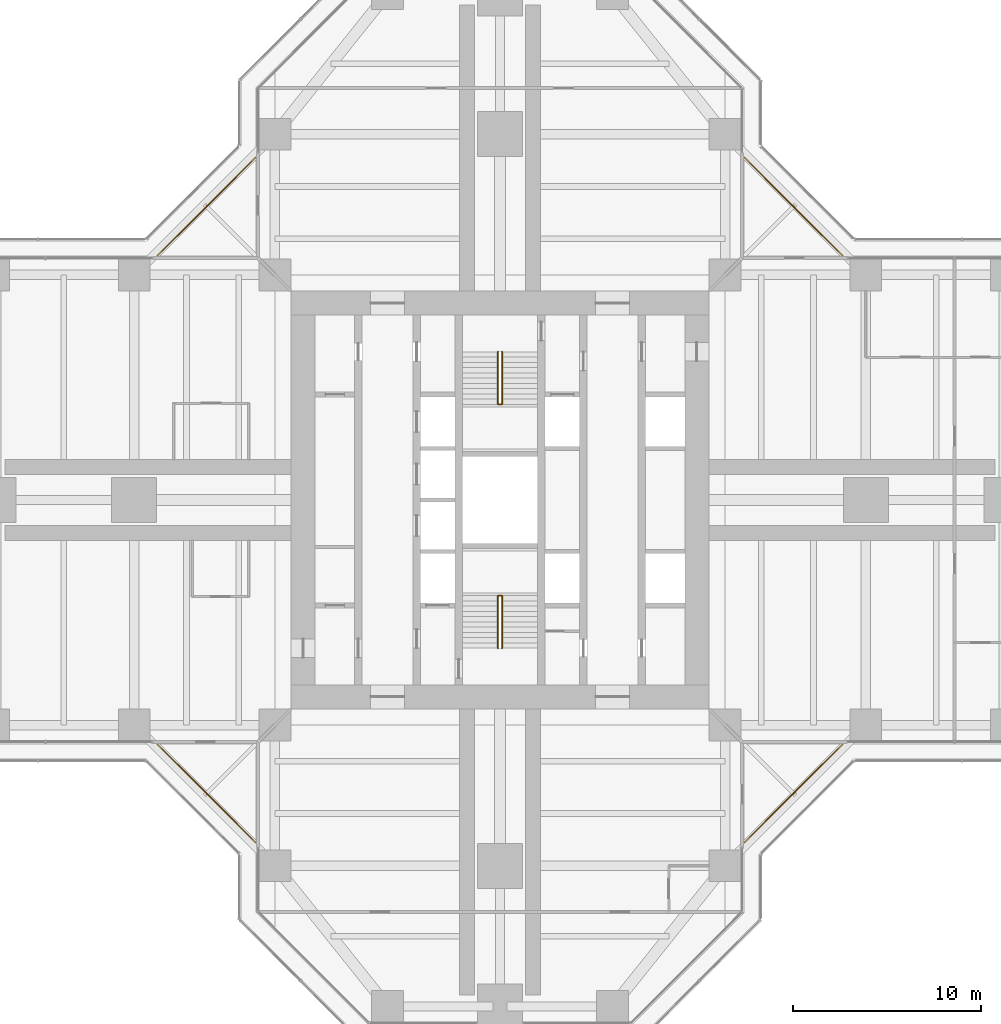
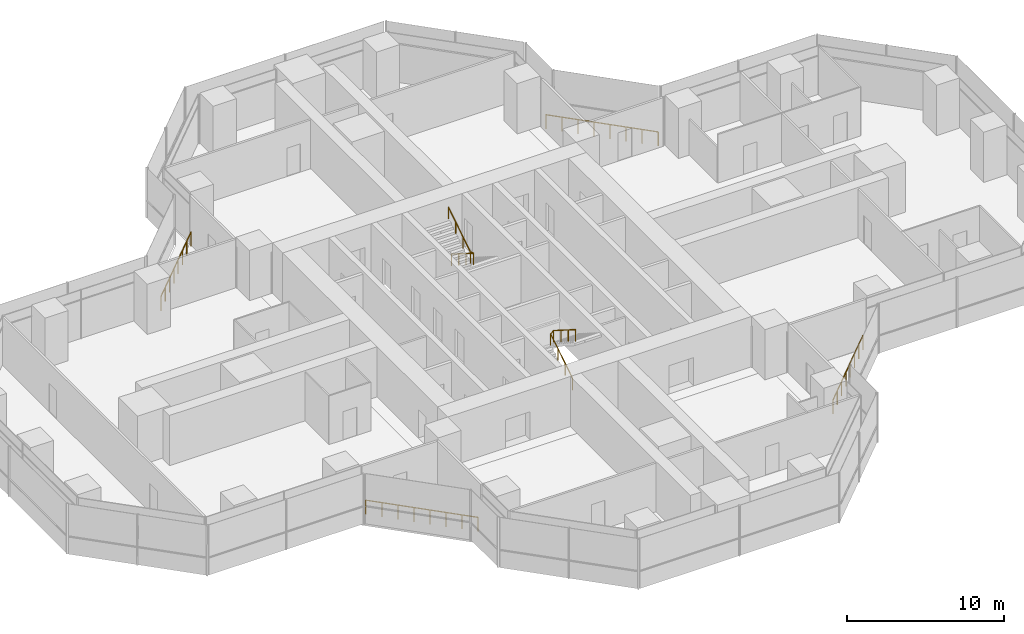
# One storey, part 19 of 19: 6 railings.
"""IFC4 building model written with IfcOpenShell, lengths in metres."""

from ifc_helpers import new_model, si_unit, direction, frame, origin, origin_2d, place, context, subcontext, project, spatial, circle, extrude, material, type_object, element, save


model = new_model("IFC4")

# Units and contexts
model_context = context("Model", 3, precision=1e-05, world=origin(), true_north=direction((0.0, 1.0)))
body_context = subcontext(model_context, "Body", "Model", "MODEL_VIEW")
ifc_project = project(units=[si_unit("LENGTHUNIT", "METRE"), si_unit("AREAUNIT", "SQUARE_METRE"), si_unit("VOLUMEUNIT", "CUBIC_METRE"), si_unit("PLANEANGLEUNIT", "RADIAN"), si_unit("MASSUNIT", "GRAM", prefix="KILO")], contexts=[model_context])

# Site, building, storey
site_placement = place(None, origin())
site = spatial("IfcSite", under=ifc_project, at=site_placement, CompositionType="ELEMENT")
building_placement = place(site_placement, origin())
building = spatial("IfcBuilding", under=site, at=building_placement, Name="Mizan Broadcast Tower", CompositionType="ELEMENT")
storey_placement = place(building_placement, frame((0.0, 0.0, 132.0)))
storey = spatial("IfcBuildingStorey", under=building, at=storey_placement, Name="L29", CompositionType="ELEMENT", Elevation=132.0)

# Railings
ifc_material_1 = material(Name="Stainless steel and glass guard", Category="steel")
railing_type_1 = type_object("IfcRailingType", Name="GUARD 1100", PredefinedType="GUARDRAIL", material=ifc_material_1)
railing_1_placement = place(storey_placement, frame((18.2578125, 13.030029296875, 0.0)))
element("IfcRailing", 1, at=railing_1_placement, inside=storey, type_object=railing_type_1, Name="Winter garden guard L29 E", PredefinedType="GUARDRAIL", context=body_context, shape_type="SweptSolid", body=[
    extrude(circle(Radius=0.02392578125, at=origin_2d()), frame((0.0, 0.0, 1.076171875), z_axis=(-0.707106781187, 0.707106781187, 0.0), x_axis=(-0.707106781187, -0.707106781187, 0.0)), (0.0, 0.0, 1.0), 7.393310546875),
    extrude(circle(Radius=0.02099609375, at=origin_2d()), origin(), (0.0, 0.0, 1.0), 1.052001953125),
    extrude(circle(Radius=0.02099609375, at=origin_2d()), frame((-0.746826171875, 0.746826171875, 0.0)), (0.0, 0.0, 1.0), 1.052001953125),
    extrude(circle(Radius=0.02099609375, at=origin_2d()), frame((-1.49365234375, 1.49365234375, 0.0)), (0.0, 0.0, 1.0), 1.052001953125),
    extrude(circle(Radius=0.02099609375, at=origin_2d()), frame((-2.240478515625, 2.240478515625, 0.0)), (0.0, 0.0, 1.0), 1.052001953125),
    extrude(circle(Radius=0.02099609375, at=origin_2d()), frame((-2.9873046875, 2.9873046875, 0.0)), (0.0, 0.0, 1.0), 1.052001953125),
    extrude(circle(Radius=0.02099609375, at=origin_2d()), frame((-3.734130859375, 3.734130859375, 0.0)), (0.0, 0.0, 1.0), 1.052001953125),
    extrude(circle(Radius=0.02099609375, at=origin_2d()), frame((-4.48095703125, 4.48095703125, 0.0)), (0.0, 0.0, 1.0), 1.052001953125),
    extrude(circle(Radius=0.02099609375, at=origin_2d()), frame((-5.227783203125, 5.227783203125, 0.0)), (0.0, 0.0, 1.0), 1.052001953125),
])
railing_2_placement = place(storey_placement, frame((-13.030029296875, 18.2578125, 0.0)))
element("IfcRailing", 2, at=railing_2_placement, inside=storey, type_object=railing_type_1, Name="Winter garden guard L29 N", PredefinedType="GUARDRAIL", context=body_context, shape_type="SweptSolid", body=[
    extrude(circle(Radius=0.02392578125, at=origin_2d()), frame((0.0, 0.0, 1.076171875), z_axis=(-0.707106781187, -0.707106781187, 0.0), x_axis=(0.707106781187, -0.707106781187, 0.0)), (0.0, 0.0, 1.0), 7.393310546875),
    extrude(circle(Radius=0.02099609375, at=origin_2d()), origin(), (0.0, 0.0, 1.0), 1.052001953125),
    extrude(circle(Radius=0.02099609375, at=origin_2d()), frame((-0.746826171875, -0.746826171875, 0.0)), (0.0, 0.0, 1.0), 1.052001953125),
    extrude(circle(Radius=0.02099609375, at=origin_2d()), frame((-1.49365234375, -1.49365234375, 0.0)), (0.0, 0.0, 1.0), 1.052001953125),
    extrude(circle(Radius=0.02099609375, at=origin_2d()), frame((-2.240478515625, -2.240478515625, 0.0)), (0.0, 0.0, 1.0), 1.052001953125),
    extrude(circle(Radius=0.02099609375, at=origin_2d()), frame((-2.9873046875, -2.9873046875, 0.0)), (0.0, 0.0, 1.0), 1.052001953125),
    extrude(circle(Radius=0.02099609375, at=origin_2d()), frame((-3.734130859375, -3.734130859375, 0.0)), (0.0, 0.0, 1.0), 1.052001953125),
    extrude(circle(Radius=0.02099609375, at=origin_2d()), frame((-4.48095703125, -4.48095703125, 0.0)), (0.0, 0.0, 1.0), 1.052001953125),
    extrude(circle(Radius=0.02099609375, at=origin_2d()), frame((-5.227783203125, -5.227783203125, 0.0)), (0.0, 0.0, 1.0), 1.052001953125),
])
railing_3_placement = place(storey_placement, frame((-18.2578125, -13.030029296875, 0.0)))
element("IfcRailing", 3, at=railing_3_placement, inside=storey, type_object=railing_type_1, Name="Winter garden guard L29 W", PredefinedType="GUARDRAIL", context=body_context, shape_type="SweptSolid", body=[
    extrude(circle(Radius=0.02392578125, at=origin_2d()), frame((0.0, 0.0, 1.076171875), z_axis=(0.707106781187, -0.707106781187, 0.0), x_axis=(0.707106781187, 0.707106781187, 0.0)), (0.0, 0.0, 1.0), 7.393310546875),
    extrude(circle(Radius=0.02099609375, at=origin_2d()), origin(), (0.0, 0.0, 1.0), 1.052001953125),
    extrude(circle(Radius=0.02099609375, at=origin_2d()), frame((0.746826171875, -0.746826171875, 0.0)), (0.0, 0.0, 1.0), 1.052001953125),
    extrude(circle(Radius=0.02099609375, at=origin_2d()), frame((1.49365234375, -1.49365234375, 0.0)), (0.0, 0.0, 1.0), 1.052001953125),
    extrude(circle(Radius=0.02099609375, at=origin_2d()), frame((2.240478515625, -2.240478515625, 0.0)), (0.0, 0.0, 1.0), 1.052001953125),
    extrude(circle(Radius=0.02099609375, at=origin_2d()), frame((2.9873046875, -2.9873046875, 0.0)), (0.0, 0.0, 1.0), 1.052001953125),
    extrude(circle(Radius=0.02099609375, at=origin_2d()), frame((3.734130859375, -3.734130859375, 0.0)), (0.0, 0.0, 1.0), 1.052001953125),
    extrude(circle(Radius=0.02099609375, at=origin_2d()), frame((4.48095703125, -4.48095703125, 0.0)), (0.0, 0.0, 1.0), 1.052001953125),
    extrude(circle(Radius=0.02099609375, at=origin_2d()), frame((5.227783203125, -5.227783203125, 0.0)), (0.0, 0.0, 1.0), 1.052001953125),
])
railing_4_placement = place(storey_placement, frame((13.030029296875, -18.2578125, 0.0)))
element("IfcRailing", 4, at=railing_4_placement, inside=storey, type_object=railing_type_1, Name="Winter garden guard L29 S", PredefinedType="GUARDRAIL", context=body_context, shape_type="SweptSolid", body=[
    extrude(circle(Radius=0.02392578125, at=origin_2d()), frame((0.0, 0.0, 1.076171875), z_axis=(0.707106781187, 0.707106781187, 0.0), x_axis=(-0.707106781187, 0.707106781187, 0.0)), (0.0, 0.0, 1.0), 7.393310546875),
    extrude(circle(Radius=0.02099609375, at=origin_2d()), origin(), (0.0, 0.0, 1.0), 1.052001953125),
    extrude(circle(Radius=0.02099609375, at=origin_2d()), frame((0.746826171875, 0.746826171875, 0.0)), (0.0, 0.0, 1.0), 1.052001953125),
    extrude(circle(Radius=0.02099609375, at=origin_2d()), frame((1.49365234375, 1.49365234375, 0.0)), (0.0, 0.0, 1.0), 1.052001953125),
    extrude(circle(Radius=0.02099609375, at=origin_2d()), frame((2.240478515625, 2.240478515625, 0.0)), (0.0, 0.0, 1.0), 1.052001953125),
    extrude(circle(Radius=0.02099609375, at=origin_2d()), frame((2.9873046875, 2.9873046875, 0.0)), (0.0, 0.0, 1.0), 1.052001953125),
    extrude(circle(Radius=0.02099609375, at=origin_2d()), frame((3.734130859375, 3.734130859375, 0.0)), (0.0, 0.0, 1.0), 1.052001953125),
    extrude(circle(Radius=0.02099609375, at=origin_2d()), frame((4.48095703125, 4.48095703125, 0.0)), (0.0, 0.0, 1.0), 1.052001953125),
    extrude(circle(Radius=0.02099609375, at=origin_2d()), frame((5.227783203125, 5.227783203125, 0.0)), (0.0, 0.0, 1.0), 1.052001953125),
])
ifc_material_2 = material(Name="Stainless steel", Category="steel")
railing_type_2 = type_object("IfcRailingType", Name="HANDRAIL 50", PredefinedType="HANDRAIL", material=ifc_material_2)
railing_5_placement = place(storey_placement, frame((-0.110107421875, -7.89990234375, 0.17724609375)))
element("IfcRailing", 5, at=railing_5_placement, inside=storey, type_object=railing_type_2, Name="Stair A handrail", PredefinedType="HANDRAIL", context=body_context, shape_type="SweptSolid", body=[
    extrude(circle(Radius=0.02392578125, at=origin_2d()), frame((0.0, 0.0, 0.8759765625), z_axis=(0.0, 0.844887892834, 0.53494340686), x_axis=(-1.0, 0.0, 0.0)), (0.0, 0.0, 1.0), 3.313720703125),
    extrude(circle(Radius=0.02392578125, at=origin_2d()), frame((0.0, 2.7998046875, 2.6484375), z_axis=(0.779011685263, 0.0, 0.627009405212), x_axis=(0.0, 1.0, 0.0)), (0.0, 0.0, 1.0), 0.28271484375),
    extrude(circle(Radius=0.02392578125, at=origin_2d()), frame((0.22021484375, 2.7998046875, 2.82568359375), z_axis=(0.0, -0.844887892834, 0.53494340686), x_axis=(1.0, 0.0, 0.0)), (0.0, 0.0, 1.0), 3.313720703125),
    extrude(circle(Radius=0.02099609375, at=origin_2d()), origin(), (0.0, 0.0, 1.0), 0.851806640625),
    extrude(circle(Radius=0.02099609375, at=origin_2d()), frame((0.0, 0.933349609375, 0.5908203125)), (0.0, 0.0, 1.0), 0.851806640625),
    extrude(circle(Radius=0.02099609375, at=origin_2d()), frame((0.0, 1.866455078125, 1.181884765625)), (0.0, 0.0, 1.0), 0.851806640625),
    extrude(circle(Radius=0.02099609375, at=origin_2d()), frame((0.0, 2.7998046875, 1.772705078125)), (0.0, 0.0, 1.0), 0.851806640625),
    extrude(circle(Radius=0.02099609375, at=origin_2d()), frame((0.22021484375, 2.7998046875, 1.949951171875)), (0.0, 0.0, 1.0), 0.851806640625),
    extrude(circle(Radius=0.02099609375, at=origin_2d()), frame((0.22021484375, 1.866455078125, 2.540771484375)), (0.0, 0.0, 1.0), 0.851806640625),
    extrude(circle(Radius=0.02099609375, at=origin_2d()), frame((0.22021484375, 0.933349609375, 3.1318359375)), (0.0, 0.0, 1.0), 0.851806640625),
    extrude(circle(Radius=0.02099609375, at=origin_2d()), frame((0.22021484375, 0.0, 3.72265625)), (0.0, 0.0, 1.0), 0.851806640625),
])
railing_6_placement = place(storey_placement, frame((0.110107421875, 7.89990234375, 0.17724609375)))
element("IfcRailing", 6, at=railing_6_placement, inside=storey, type_object=railing_type_2, Name="Stair B handrail", PredefinedType="HANDRAIL", context=body_context, shape_type="SweptSolid", body=[
    extrude(circle(Radius=0.02392578125, at=origin_2d()), frame((0.0, 0.0, 0.8759765625), z_axis=(0.0, -0.844887892834, 0.53494340686), x_axis=(1.0, 0.0, 0.0)), (0.0, 0.0, 1.0), 3.313720703125),
    extrude(circle(Radius=0.02392578125, at=origin_2d()), frame((0.0, -2.7998046875, 2.6484375), z_axis=(-0.779011685263, 0.0, 0.627009405212), x_axis=(0.0, -1.0, 0.0)), (0.0, 0.0, 1.0), 0.28271484375),
    extrude(circle(Radius=0.02392578125, at=origin_2d()), frame((-0.22021484375, -2.7998046875, 2.82568359375), z_axis=(0.0, 0.844887892834, 0.53494340686), x_axis=(-1.0, 0.0, 0.0)), (0.0, 0.0, 1.0), 3.313720703125),
    extrude(circle(Radius=0.02099609375, at=origin_2d()), origin(), (0.0, 0.0, 1.0), 0.851806640625),
    extrude(circle(Radius=0.02099609375, at=origin_2d()), frame((0.0, -0.933349609375, 0.5908203125)), (0.0, 0.0, 1.0), 0.851806640625),
    extrude(circle(Radius=0.02099609375, at=origin_2d()), frame((0.0, -1.866455078125, 1.181884765625)), (0.0, 0.0, 1.0), 0.851806640625),
    extrude(circle(Radius=0.02099609375, at=origin_2d()), frame((0.0, -2.7998046875, 1.772705078125)), (0.0, 0.0, 1.0), 0.851806640625),
    extrude(circle(Radius=0.02099609375, at=origin_2d()), frame((-0.22021484375, -2.7998046875, 1.949951171875)), (0.0, 0.0, 1.0), 0.851806640625),
    extrude(circle(Radius=0.02099609375, at=origin_2d()), frame((-0.22021484375, -1.866455078125, 2.540771484375)), (0.0, 0.0, 1.0), 0.851806640625),
    extrude(circle(Radius=0.02099609375, at=origin_2d()), frame((-0.22021484375, -0.933349609375, 3.1318359375)), (0.0, 0.0, 1.0), 0.851806640625),
    extrude(circle(Radius=0.02099609375, at=origin_2d()), frame((-0.22021484375, 0.0, 3.72265625)), (0.0, 0.0, 1.0), 0.851806640625),
])

save(model, "model.ifc")
